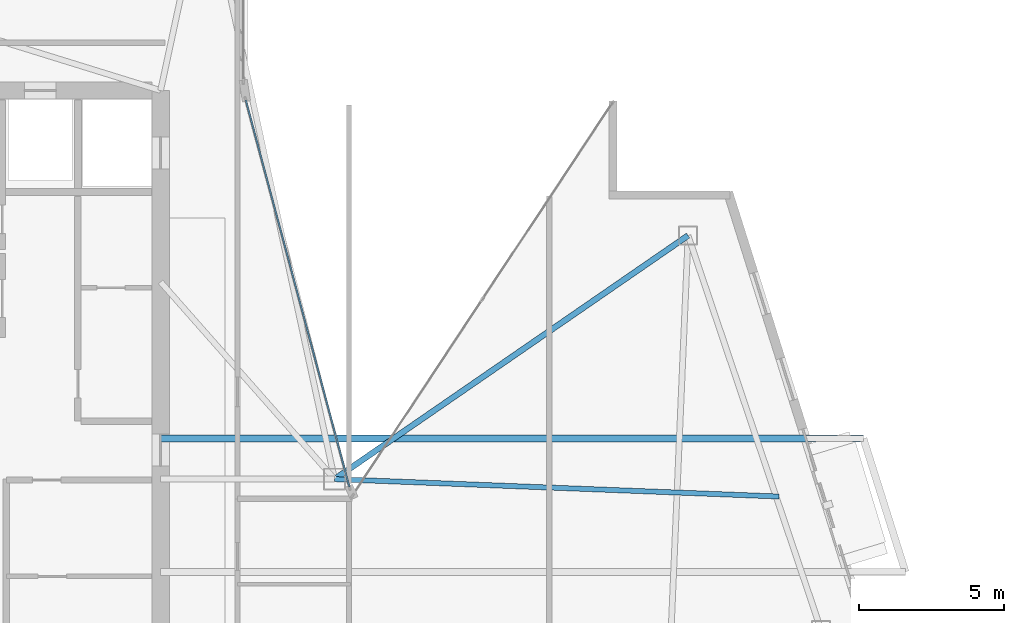
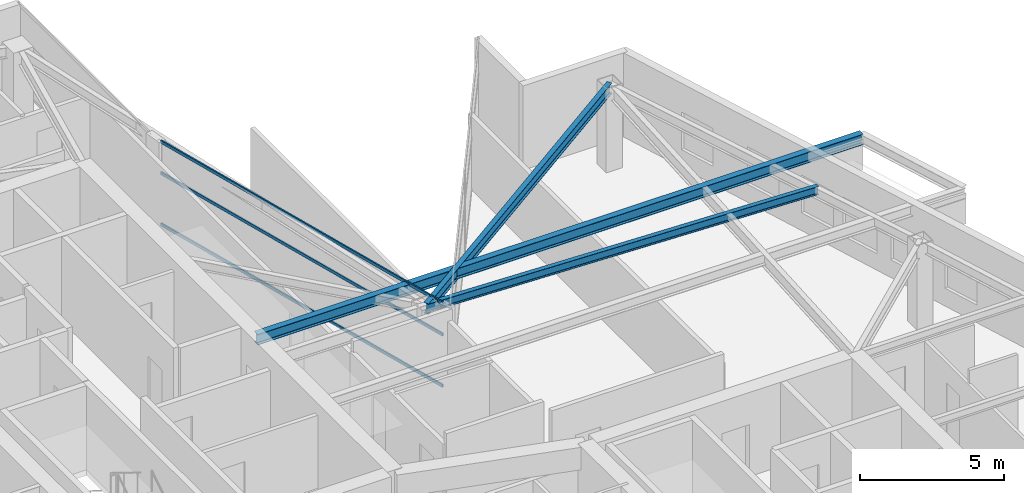
# One storey, part 12 of 28: 3 beams, 3 members, 1 element without a shape of its own.
"""IFC4 building model written with IfcOpenShell, lengths in metres."""

from ifc_helpers import new_model, si_unit, direction, frame, origin, origin_2d, place, context, subcontext, project, spatial, hollow_rectangle, i_section, extrude, material, layer, layer_set, material_profile, profile_set, type_object, element, aggregate, save


model = new_model("IFC4")

# Units and contexts
model_context = context("Model", 3, precision=1e-05, world=origin(), true_north=direction((0.0, 1.0)))
body_context = subcontext(model_context, "Body", "Model", "MODEL_VIEW")
ifc_project = project(units=[si_unit("LENGTHUNIT", "METRE"), si_unit("AREAUNIT", "SQUARE_METRE"), si_unit("VOLUMEUNIT", "CUBIC_METRE"), si_unit("PLANEANGLEUNIT", "RADIAN"), si_unit("MASSUNIT", "GRAM", prefix="KILO")], contexts=[model_context])

# Site, building, storey
site_placement = place(None, origin())
site = spatial("IfcSite", under=ifc_project, at=site_placement, CompositionType="ELEMENT")
building_placement = place(site_placement, origin())
building = spatial("IfcBuilding", under=site, at=building_placement, Name="Calvorn Quay Hotel", CompositionType="ELEMENT")
storey_placement = place(building_placement, frame((0.0, 0.0, 274.89990234375)))
storey = spatial("IfcBuildingStorey", under=building, at=storey_placement, Name="L68", CompositionType="ELEMENT", Elevation=274.89990234375)

# Beams
ifc_material_1 = material(Name="Steel Q355B", Category="steel")
ifc_material_profile_1 = material_profile(ifc_material_1, i_section(OverallWidth=0.25, OverallDepth=0.449951171875, WebThickness=0.011962890625, FlangeThickness=0.01611328125, FilletRadius=0.01611328125, at=origin_2d()), Name="HN450x250x12x16")
ifc_profile_set_1 = profile_set([ifc_material_profile_1], Name="Steel Q355B")
beam_type_1 = type_object("IfcBeamType", Name="BM-CANT-BALC", PredefinedType="BEAM", material=ifc_profile_set_1)
beam_1_placement = place(storey_placement, frame((15.0, 26.39990234375, 3.315185546875), z_axis=(1.0, 0.0, 0.0), x_axis=(0.0, 1.0, 0.0)))
element("IfcBeam", 1, at=beam_1_placement, inside=storey, type_object=beam_type_1, Name="Cantilever Balcony Beam BCB-L69-1B", PredefinedType="BEAM", context=body_context, shape_type="SweptSolid", body=[
    extrude(i_section(OverallWidth=0.25, OverallDepth=0.449951171875, WebThickness=0.011962890625, FlangeThickness=0.01611328125, FilletRadius=0.01611328125, at=origin_2d()), origin(), (0.0, 0.0, 1.0), 24.237060546875),
])
ifc_material_2 = material(Name="Steel Q355B", Category="steel")
ifc_material_profile_2 = material_profile(ifc_material_2, i_section(OverallWidth=0.175048828125, OverallDepth=0.35009765625, WebThickness=0.007080078125, FlangeThickness=0.010986328125, FilletRadius=0.013916015625, at=origin_2d()), Name="HN350x175x7x11")
ifc_profile_set_2 = profile_set([ifc_material_profile_2], Name="Steel Q355B")
beam_type_2 = type_object("IfcBeamType", Name="BM-JOIST-SEC", PredefinedType="JOIST", material=ifc_profile_set_2)
beam_2_placement = place(storey_placement, frame((21.0, 25.0, 3.364990234375), z_axis=(0.999234392811, -0.039123244039, 0.0), x_axis=(0.039123244039, 0.999234392811, 0.0)))
element("IfcBeam", 2, at=beam_2_placement, inside=storey, type_object=beam_type_2, Name="Beam BJ-L68-E3", PredefinedType="JOIST", context=body_context, shape_type="SweptSolid", body=[
    extrude(i_section(OverallWidth=0.175048828125, OverallDepth=0.35009765625, WebThickness=0.007080078125, FlangeThickness=0.010986328125, FilletRadius=0.013916015625, at=origin_2d()), origin(), (0.0, 0.0, 1.0), 15.338623046875),
])
ifc_material_3 = material(Name="Steel Q355B", Category="steel")
ifc_material_profile_3 = material_profile(ifc_material_3, i_section(OverallWidth=0.199951171875, OverallDepth=0.449951171875, WebThickness=0.009033203125, FlangeThickness=0.013916015625, FilletRadius=0.01611328125, at=origin_2d()), Name="HN450x200x9x14")
ifc_profile_set_3 = profile_set([ifc_material_profile_3], Name="Steel Q355B")
beam_type_3 = type_object("IfcBeamType", Name="BM-SPANDREL-Z3", PredefinedType="SPANDREL", material=ifc_profile_set_3)
beam_3_placement = place(storey_placement, frame((33.19091796875, 33.39990234375, 3.315185546875), z_axis=(-0.823453496714, -0.567383766731, 0.0), x_axis=(0.567383766731, -0.823453496714, 0.0)))
element("IfcBeam", 3, at=beam_3_placement, inside=storey, type_object=beam_type_3, Name="Beam BSP-L68-E3", PredefinedType="SPANDREL", context=body_context, shape_type="SweptSolid", body=[
    extrude(i_section(OverallWidth=0.199951171875, OverallDepth=0.449951171875, WebThickness=0.009033203125, FlangeThickness=0.013916015625, FilletRadius=0.01611328125, at=origin_2d()), origin(), (0.0, 0.0, 1.0), 14.8046875),
])

# Curtain wall, members
ifc_material_4 = material(Name="Champagne Bronze Anodised Aluminium and Low-E Glass", Category="aluminium")
ifc_layer = layer(ifc_material_4, 0.219970703125)
ifc_layer_set = layer_set([ifc_layer], Name="CW-SYS-Z4")
curtain_wall_type = type_object("IfcCurtainWallType", Name="CW-SYS-Z4", PredefinedType="NOTDEFINED", material=ifc_layer_set)
curtain_wall_placement = place(storey_placement, origin())
curtain_wall = element("IfcCurtainWall", 4, at=curtain_wall_placement, inside=storey, type_object=curtain_wall_type, Name="Inner Court Curtain Wall L68-IC1", PredefinedType="NOTDEFINED")
ifc_material_5 = material(Name="Champagne Bronze Anodised Aluminium 6063-T6", Category="aluminium")
ifc_material_profile_4 = material_profile(ifc_material_5, hollow_rectangle(XDim=0.054931640625, YDim=0.1298828125, WallThickness=0.003173828125, at=origin_2d()), Name="ALU-T130x55x3.2")
ifc_profile_set_4 = profile_set([ifc_material_profile_4], Name="Champagne Bronze Anodised Aluminium 6063-T6")
member_type = type_object("IfcMemberType", Name="CW-SYS-Z4-TRN", PredefinedType="USERDEFINED", material=ifc_profile_set_4)
member_1_placement = place(storey_placement, frame((21.512451171875, 24.72802734375, 0.030029296875), z_axis=(-0.258781136883, 0.965935982969, 0.0), x_axis=(-0.965935982969, -0.258781136883, 0.0)))
member_1 = element("IfcMember", 5, at=member_1_placement, type_object=member_type, Name="CW-L68-IC1 transom 1.1", ObjectType="TRANSOM", PredefinedType="USERDEFINED", context=body_context, shape_type="SweptSolid", body=[
    extrude(hollow_rectangle(XDim=0.054931640625, YDim=0.1298828125, WallThickness=0.003173828125, at=origin_2d()), origin(), (0.0, 0.0, 1.0), 13.814453125),
])
member_2_placement = place(storey_placement, frame((21.512451171875, 24.72802734375, 2.2001953125), z_axis=(-0.258781136883, 0.965935982969, 0.0), x_axis=(-0.965935982969, -0.258781136883, 0.0)))
member_2 = element("IfcMember", 6, at=member_2_placement, type_object=member_type, Name="CW-L68-IC1 transom 1.2", ObjectType="TRANSOM", PredefinedType="USERDEFINED", context=body_context, shape_type="SweptSolid", body=[
    extrude(hollow_rectangle(XDim=0.054931640625, YDim=0.1298828125, WallThickness=0.003173828125, at=origin_2d()), origin(), (0.0, 0.0, 1.0), 13.814453125),
])
member_3_placement = place(storey_placement, frame((21.512451171875, 24.72802734375, 3.530029296875), z_axis=(-0.258781136883, 0.965935982969, 0.0), x_axis=(-0.965935982969, -0.258781136883, 0.0)))
member_3 = element("IfcMember", 7, at=member_3_placement, type_object=member_type, Name="CW-L68-IC1 transom 1.3", ObjectType="TRANSOM", PredefinedType="USERDEFINED", context=body_context, shape_type="SweptSolid", body=[
    extrude(hollow_rectangle(XDim=0.054931640625, YDim=0.1298828125, WallThickness=0.003173828125, at=origin_2d()), origin(), (0.0, 0.0, 1.0), 13.814453125),
])
aggregate(curtain_wall, [member_1, member_2, member_3])

save(model, "model.ifc")
